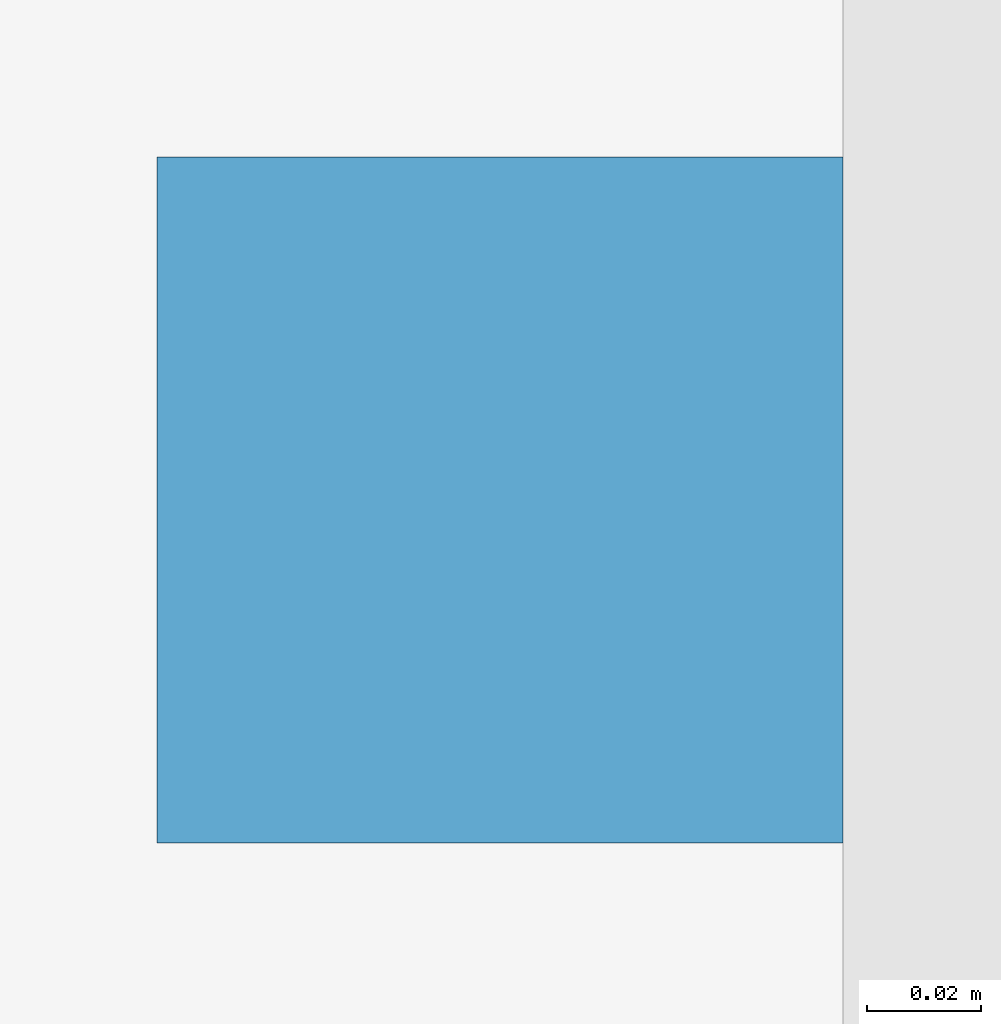
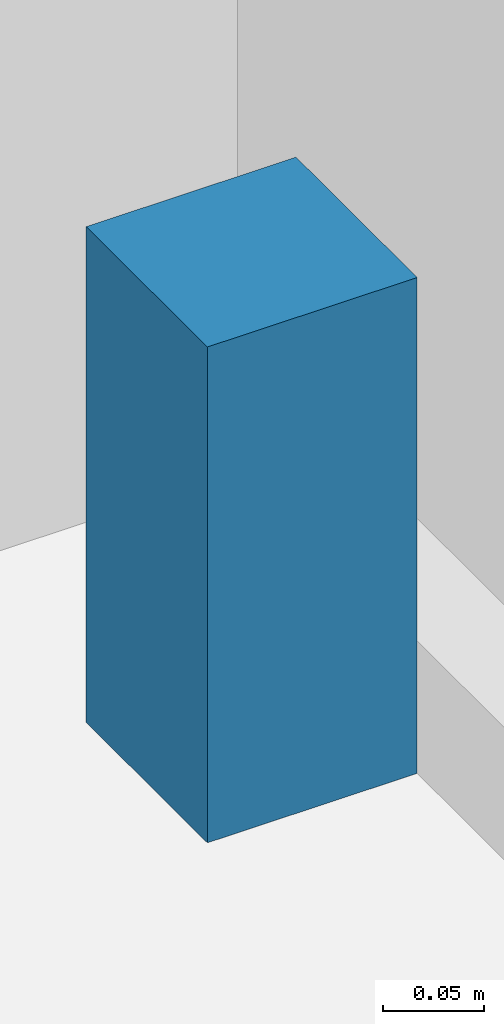
# One storey, part 19 of 27: 1 discrete accessory.
"""IFC4 building model written with IfcOpenShell, lengths in metres."""

from ifc_helpers import new_model, si_unit, direction, frame, origin, origin_2d, place, context, subcontext, project, spatial, rectangle, extrude, material, type_object, element, save


model = new_model("IFC4")

# Units and contexts
model_context = context("Model", 3, precision=1e-05, world=origin(), true_north=direction((0.0, 1.0)))
body_context = subcontext(model_context, "Body", "Model", "MODEL_VIEW")
ifc_project = project(units=[si_unit("LENGTHUNIT", "METRE"), si_unit("AREAUNIT", "SQUARE_METRE"), si_unit("VOLUMEUNIT", "CUBIC_METRE"), si_unit("PLANEANGLEUNIT", "RADIAN"), si_unit("MASSUNIT", "GRAM", prefix="KILO")], contexts=[model_context])

# Site, building, storey
site_placement = place(None, origin())
site = spatial("IfcSite", under=ifc_project, at=site_placement, CompositionType="ELEMENT")
building_placement = place(site_placement, origin())
building = spatial("IfcBuilding", under=site, at=building_placement, Name="Ostroluk Exchange", CompositionType="ELEMENT")
storey_placement = place(building_placement, frame((0.0, 0.0, 112.199951171875)))
storey = spatial("IfcBuildingStorey", under=building, at=storey_placement, Name="L28", CompositionType="ELEMENT", Elevation=112.199951171875)

# Discrete accessory
ifc_material = material(Name="Stainless steel", Category="steel")
discrete_accessory_type = type_object("IfcDiscreteAccessoryType", Name="Fall-arrest anchor PN-EN 795 type C", PredefinedType="USERDEFINED", material=ifc_material)
discrete_accessory_placement = place(storey_placement, frame((22.7900390625, 55.25, 0.0), z_axis=(0.0, 0.0, 1.0), x_axis=(1.0, 0.0, 0.0)))
element("IfcDiscreteAccessory", 1, at=discrete_accessory_placement, inside=storey, type_object=discrete_accessory_type, Name="Fall-arrest anchor L28 west 4", ObjectType="FALL ARREST ANCHOR", PredefinedType="USERDEFINED", context=body_context, shape_type="SweptSolid", body=[
    extrude(rectangle(XDim=0.1201171875, YDim=0.1201171875, at=origin_2d()), origin(), (0.0, 0.0, 1.0), 0.300048828125),
])

save(model, "model.ifc")
